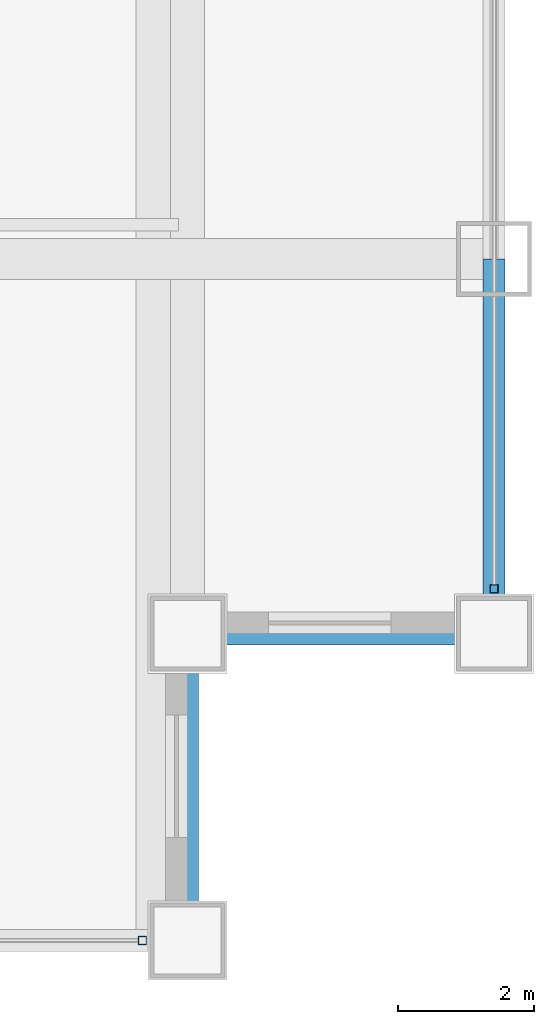
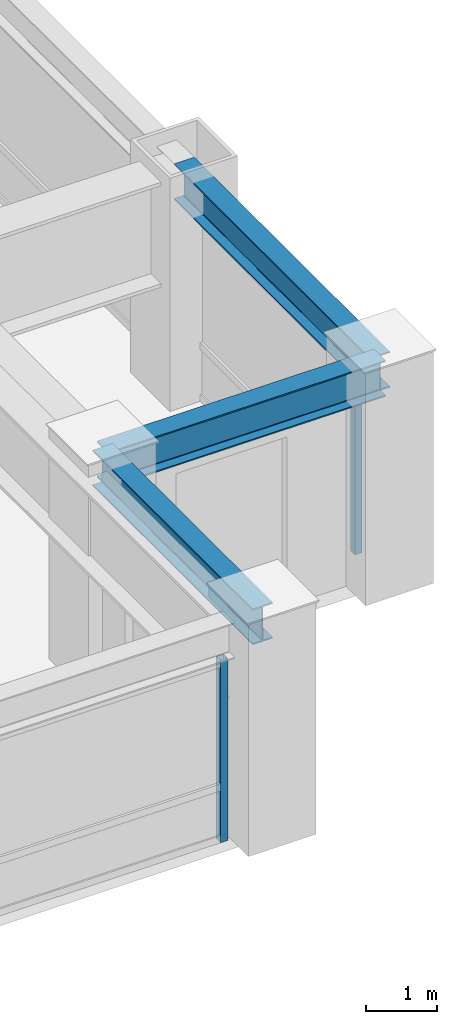
# One storey, part 8 of 26: 3 beams, 2 members, 2 elements without a shape of their own.
"""IFC4 building model written with IfcOpenShell, lengths in metres."""

from ifc_helpers import new_model, si_unit, direction, frame, origin, origin_2d, place, context, subcontext, project, spatial, hollow_rectangle, i_section, extrude, source, transform, mapped, material, material_profile, profile_set, type_object, element, aggregate, save


model = new_model("IFC4")

# Units and contexts
model_context = context("Model", 3, precision=1e-05, world=origin(), true_north=direction((0.0, 1.0)))
body_context = subcontext(model_context, "Body", "Model", "MODEL_VIEW")
ifc_project = project(units=[si_unit("LENGTHUNIT", "METRE"), si_unit("AREAUNIT", "SQUARE_METRE"), si_unit("VOLUMEUNIT", "CUBIC_METRE"), si_unit("PLANEANGLEUNIT", "RADIAN"), si_unit("MASSUNIT", "GRAM", prefix="KILO")], contexts=[model_context])

# Site, building, storey
site_placement = place(None, origin())
site = spatial("IfcSite", under=ifc_project, at=site_placement, CompositionType="ELEMENT")
building_placement = place(site_placement, origin())
building = spatial("IfcBuilding", under=site, at=building_placement, Name="Khorayat Bourse Tower", CompositionType="ELEMENT")
storey_placement = place(building_placement, frame((0.0, 0.0, 207.10009765625)))
storey = spatial("IfcBuildingStorey", under=building, at=storey_placement, Name="L48", CompositionType="ELEMENT", Elevation=207.10009765625)

# Beams
ifc_material_1 = material(Name="Steel ASTM A992 Grade 50", Category="steel")
ifc_material_profile_1 = material_profile(ifc_material_1, i_section(OverallWidth=0.324951171875, OverallDepth=0.615966796875, WebThickness=0.013916015625, FlangeThickness=0.021484375, FilletRadius=0.01611328125, at=origin_2d()), Name="W610X174")
ifc_profile_set_1 = profile_set([ifc_material_profile_1], Name="Steel ASTM A992 Grade 50")
beam_type = type_object("IfcBeamType", Name="BM-SPAN-610", PredefinedType="SPANDREL", material=ifc_profile_set_1)
shared_shape_1 = source(origin(), body_context, "Body", "SweptSolid", [
    extrude(i_section(OverallWidth=0.324951171875, OverallDepth=0.615966796875, WebThickness=0.013916015625, FlangeThickness=0.021484375, FilletRadius=0.01611328125, at=origin_2d()), origin(), (0.0, 0.0, 1.0), 5.5),
])
beam_placement = place(storey_placement, frame((30.0, -25.5, 3.471923828125), z_axis=(0.0, 1.0, 0.0), x_axis=(-1.0, 0.0, 0.0)))
element("IfcBeam", 1, at=beam_placement, inside=storey, type_object=beam_type, Name="L48 BM-SPAN-610 BM-L48-SPN-034", PredefinedType="SPANDREL", context=body_context, shape_type="MappedRepresentation", body=[
    mapped(shared_shape_1, transform((0.0, 0.0, 0.0), scale=1.0)),
])
shared_shape_2 = source(origin(), body_context, "Body", "SweptSolid", [
    extrude(i_section(OverallWidth=0.324951171875, OverallDepth=0.615966796875, WebThickness=0.013916015625, FlangeThickness=0.021484375, FilletRadius=0.01611328125, at=origin_2d()), origin(), (0.0, 0.0, 1.0), 4.5),
])
for number, where, z_axis, x_axis, name in (
    (2, (25.5, -30.0, 3.471923828125), (0.0, 1.0, 0.0), (-1.0, 0.0, 0.0), "L48 BM-SPAN-610 BM-L48-SPN-032"),
    (3, (25.5, -25.5, 3.471923828125), (1.0, 0.0, 0.0), (0.0, 1.0, 0.0), "L48 BM-SPAN-610 BM-L48-SPN-033"),
):
    element("IfcBeam", number, at=place(storey_placement, frame(where, z_axis=z_axis, x_axis=x_axis)), inside=storey, type_object=beam_type, Name=name, PredefinedType="SPANDREL", context=body_context, shape_type="MappedRepresentation", body=[
        mapped(shared_shape_2, transform((0.0, 0.0, 0.0), scale=1.0)),
    ])

# Curtain wall, member
ifc_material_2 = material(Name="Aluminium EN AW-6063 T6", Category="aluminium")
curtain_wall_type = type_object("IfcCurtainWallType", Name="CW-SYS-03", PredefinedType="NOTDEFINED", material=ifc_material_2)
curtain_wall_1_placement = place(storey_placement, origin())
curtain_wall_1 = element("IfcCurtainWall", 4, at=curtain_wall_1_placement, inside=storey, type_object=curtain_wall_type, Name="L48 Curtain Wall CW-L48-S1", PredefinedType="NOTDEFINED")
ifc_material_profile_2 = material_profile(ifc_material_2, hollow_rectangle(XDim=0.1201171875, YDim=0.1201171875, WallThickness=0.0048828125, at=origin_2d()), Name="ALU 120x120x5")
ifc_profile_set_2 = profile_set([ifc_material_profile_2], Name="Aluminium EN AW-6063 T6")
member_type = type_object("IfcMemberType", Name="CWM-VERT-120", PredefinedType="MULLION", material=ifc_profile_set_2)
shared_shape_3 = source(origin(), body_context, "Body", "SweptSolid", [
    extrude(hollow_rectangle(XDim=0.1201171875, YDim=0.1201171875, WallThickness=0.0048828125, at=origin_2d()), origin(), (0.0, 0.0, 1.0), 3.1298828125),
])
member_1_placement = place(storey_placement, frame((24.840087890625, -30.0, 0.0), z_axis=(0.0, 0.0, 1.0), x_axis=(0.0, 1.0, 0.0)))
member_1 = element("IfcMember", 5, at=member_1_placement, type_object=member_type, Name="CW-L48-S1 Vertical Mullion 3", PredefinedType="MULLION", context=body_context, shape_type="MappedRepresentation", body=[
    mapped(shared_shape_3, transform((0.0, 0.0, 0.0), scale=1.0)),
])
aggregate(curtain_wall_1, [member_1])

curtain_wall_2_placement = place(storey_placement, origin())
curtain_wall_2 = element("IfcCurtainWall", 6, at=curtain_wall_2_placement, inside=storey, type_object=curtain_wall_type, Name="L48 Curtain Wall CW-L48-E1", PredefinedType="NOTDEFINED")
member_2_placement = place(storey_placement, frame((30.0, -24.840087890625, 0.0), z_axis=(0.0, 0.0, 1.0), x_axis=(-1.0, 0.0, 0.0)))
member_2 = element("IfcMember", 7, at=member_2_placement, type_object=member_type, Name="CW-L48-E1 Vertical Mullion 1", PredefinedType="MULLION", context=body_context, shape_type="MappedRepresentation", body=[
    mapped(shared_shape_3, transform((0.0, 0.0, 0.0), scale=1.0)),
])
aggregate(curtain_wall_2, [member_2])

save(model, "model.ifc")
